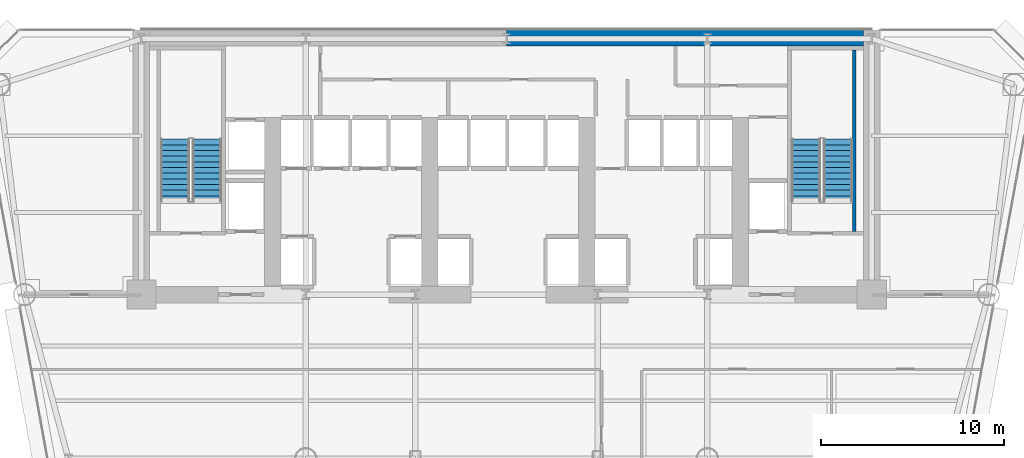
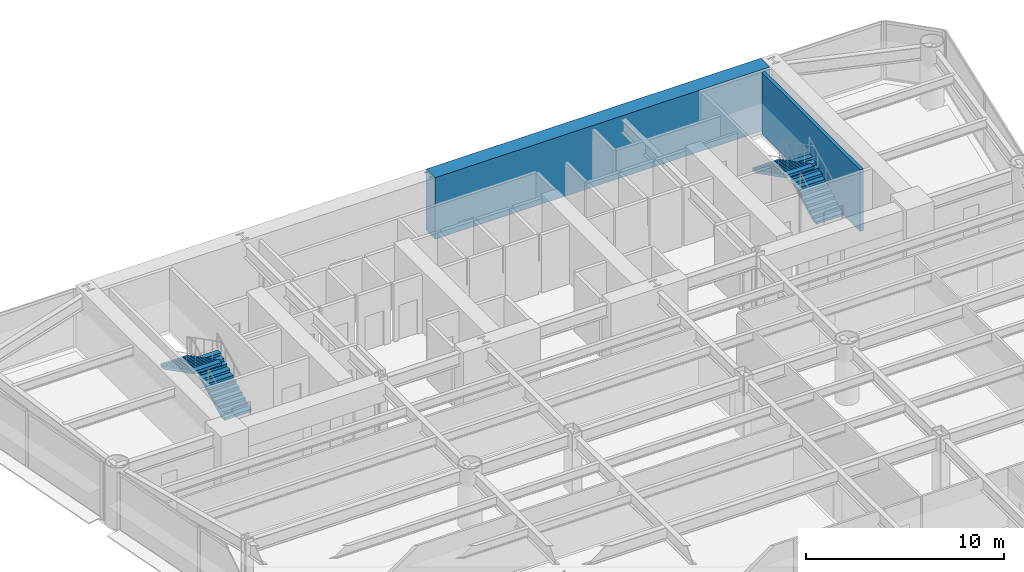
# One storey, part 10 of 14: 4 stair flights, 2 walls, 2 elements without a shape of their own.
"""IFC4 building model written with IfcOpenShell, lengths in metres."""

from ifc_helpers import new_model, si_unit, direction, frame, frame_2d, origin, place, context, subcontext, project, spatial, polyline, rectangle, outline, extrude, material, layer, layer_set, type_object, element, aggregate, save


model = new_model("IFC4")

# Units and contexts
model_context = context("Model", 3, precision=1e-05, world=origin(), true_north=direction((0.0, 1.0)))
body_context = subcontext(model_context, "Body", "Model", "MODEL_VIEW")
ifc_project = project(units=[si_unit("LENGTHUNIT", "METRE"), si_unit("AREAUNIT", "SQUARE_METRE"), si_unit("VOLUMEUNIT", "CUBIC_METRE"), si_unit("PLANEANGLEUNIT", "RADIAN"), si_unit("MASSUNIT", "GRAM", prefix="KILO")], contexts=[model_context])

# Site, building, storey
site_placement = place(None, origin())
site = spatial("IfcSite", under=ifc_project, at=site_placement, CompositionType="ELEMENT")
building_placement = place(site_placement, origin())
building = spatial("IfcBuilding", under=site, at=building_placement, Name="Vaeldorn Concourse Tower", CompositionType="ELEMENT")
storey_placement = place(building_placement, frame((0.0, 0.0, 60.60009765625)))
storey = spatial("IfcBuildingStorey", under=building, at=storey_placement, Name="L15", CompositionType="ELEMENT", Elevation=60.60009765625)

# Walls
ifc_material_1 = material(Name="Concrete C60/75", Category="concrete")
ifc_layer_1 = layer(ifc_material_1, 0.89990234375)
ifc_layer_set_1 = layer_set([ifc_layer_1], Name="Concrete C60/75")
wall_type_1 = type_object("IfcWallType", Name="WL-CORE-900", PredefinedType="SHEAR", material=ifc_layer_set_1)
wall_1_placement = place(storey_placement, frame((34.001953125, 50.550048828125, 0.0), z_axis=(0.0, 0.0, 1.0), x_axis=(1.0, 0.0, 0.0)))
element("IfcWall", 1, at=wall_1_placement, inside=storey, type_object=wall_type_1, Name="Rear Core Shear Wall L15 N2", PredefinedType="SHEAR", context=body_context, shape_type="SweptSolid", body=[
    extrude(rectangle(XDim=19.5439453125, YDim=0.89990234375, at=frame_2d((9.77197265625, 0.0))), origin(), (0.0, 0.0, 1.0), 3.7998046875),
])
ifc_material_2 = material(Name="Concrete C50/60", Category="concrete")
ifc_layer_2 = layer(ifc_material_2, 0.199951171875)
ifc_layer_set_2 = layer_set([ifc_layer_2], Name="Concrete C50/60")
wall_type_2 = type_object("IfcWallType", Name="WL-SHAFT-200", PredefinedType="SOLIDWALL", material=ifc_layer_set_2)
wall_2_placement = place(storey_placement, frame((53.050048828125, 39.9599609375, 0.0), z_axis=(0.0, 0.0, 1.0), x_axis=(0.0, 1.0, 0.0)))
element("IfcWall", 2, at=wall_2_placement, inside=storey, type_object=wall_type_2, Name="Stair Shaft Wall CW-L15-ST-2-E", PredefinedType="SOLIDWALL", context=body_context, shape_type="SweptSolid", body=[
    extrude(rectangle(XDim=9.929931640625, YDim=0.199951171875, at=frame_2d((4.96484375, 0.0))), origin(), (0.0, 0.0, 1.0), 3.7998046875),
])

# Stair, stair flights
ifc_material_3 = material(Name="Precast concrete C40/50", Category="concrete")
stair_type = type_object("IfcStairType", Name="STR-DOG-24x158", PredefinedType="HALF_TURN_STAIR", material=ifc_material_3)
stair_1_placement = place(storey_placement, origin())
stair_1 = element("IfcStair", 3, at=stair_1_placement, inside=storey, type_object=stair_type, Name="L15 West Core Exit Stair ST-1", PredefinedType="HALF_TURN_STAIR")
stair_flight_type = type_object("IfcStairFlightType", Name="STF-STR-12x158", PredefinedType="STRAIGHT", material=ifc_material_3)
stair_flight_1_placement = place(storey_placement, frame((17.60009765625, 41.60009765625, 0.0), z_axis=(0.0, 0.0, 1.0), x_axis=(0.0, 1.0, 0.0)))
stair_flight_1 = element("IfcStairFlight", 4, at=stair_flight_1_placement, type_object=stair_flight_type, Name="ST-1 flight 1", NumberOfRisers=12, NumberOfTreads=11, PredefinedType="STRAIGHT", RiserHeight=0.158333333, TreadLength=0.31, context=body_context, shape_type="SweptSolid", body=[
    extrude(outline(polyline([(0.0, 0.0), (0.0, 0.158447265625), (0.31005859375, 0.158447265625), (0.31005859375, 0.316650390625), (0.6201171875, 0.316650390625), (0.6201171875, 0.47509765625), (0.929931640625, 0.47509765625), (0.929931640625, 0.63330078125), (1.239990234375, 0.63330078125), (1.239990234375, 0.791748046875), (1.550048828125, 0.791748046875), (1.550048828125, 0.949951171875), (1.860107421875, 0.949951171875), (1.860107421875, 1.1083984375), (2.169921875, 1.1083984375), (2.169921875, 1.2666015625), (2.47998046875, 1.2666015625), (2.47998046875, 1.425048828125), (2.7900390625, 1.425048828125), (2.7900390625, 1.583251953125), (3.10009765625, 1.583251953125), (3.10009765625, 1.74169921875), (3.409912109375, 1.74169921875), (3.409912109375, 1.89990234375), (3.409912109375, 1.5732421875), (0.32958984375, 0.0), (0.0, 0.0)])), frame((0.0, 0.800048828125, 0.0), z_axis=(0.0, -1.0, 0.0), x_axis=(1.0, 0.0, 0.0)), (0.0, 0.0, 1.0), 1.60009765625),
])
stair_flight_2_placement = place(storey_placement, frame((15.85009765625, 45.010009765625, 1.89990234375), z_axis=(0.0, 0.0, 1.0), x_axis=(0.0, -1.0, 0.0)))
stair_flight_2 = element("IfcStairFlight", 5, at=stair_flight_2_placement, type_object=stair_flight_type, Name="ST-1 flight 2", NumberOfRisers=12, NumberOfTreads=11, PredefinedType="STRAIGHT", RiserHeight=0.158333333, TreadLength=0.31, context=body_context, shape_type="SweptSolid", body=[
    extrude(outline(polyline([(0.0, 0.0), (0.0, 0.158447265625), (0.31005859375, 0.158447265625), (0.31005859375, 0.316650390625), (0.6201171875, 0.316650390625), (0.6201171875, 0.47509765625), (0.929931640625, 0.47509765625), (0.929931640625, 0.63330078125), (1.239990234375, 0.63330078125), (1.239990234375, 0.791748046875), (1.550048828125, 0.791748046875), (1.550048828125, 0.949951171875), (1.860107421875, 0.949951171875), (1.860107421875, 1.1083984375), (2.169921875, 1.1083984375), (2.169921875, 1.2666015625), (2.47998046875, 1.2666015625), (2.47998046875, 1.425048828125), (2.7900390625, 1.425048828125), (2.7900390625, 1.583251953125), (3.10009765625, 1.583251953125), (3.10009765625, 1.74169921875), (3.409912109375, 1.74169921875), (3.409912109375, 1.89990234375), (3.409912109375, 1.5732421875), (0.32958984375, 0.0), (0.0, 0.0)])), frame((0.0, 0.800048828125, 0.0), z_axis=(0.0, -1.0, 0.0), x_axis=(1.0, 0.0, 0.0)), (0.0, 0.0, 1.0), 1.60009765625),
])
aggregate(stair_1, [stair_flight_1, stair_flight_2])

stair_2_placement = place(storey_placement, origin())
stair_2 = element("IfcStair", 6, at=stair_2_placement, inside=storey, type_object=stair_type, Name="L15 East Core Exit Stair ST-2", PredefinedType="HALF_TURN_STAIR")
stair_flight_3_placement = place(storey_placement, frame((52.14990234375, 41.60009765625, 0.0), z_axis=(0.0, 0.0, 1.0), x_axis=(0.0, 1.0, 0.0)))
stair_flight_3 = element("IfcStairFlight", 7, at=stair_flight_3_placement, type_object=stair_flight_type, Name="ST-2 flight 1", NumberOfRisers=12, NumberOfTreads=11, PredefinedType="STRAIGHT", RiserHeight=0.158333333, TreadLength=0.31, context=body_context, shape_type="SweptSolid", body=[
    extrude(outline(polyline([(0.0, 0.0), (0.0, 0.158447265625), (0.31005859375, 0.158447265625), (0.31005859375, 0.316650390625), (0.6201171875, 0.316650390625), (0.6201171875, 0.47509765625), (0.929931640625, 0.47509765625), (0.929931640625, 0.63330078125), (1.239990234375, 0.63330078125), (1.239990234375, 0.791748046875), (1.550048828125, 0.791748046875), (1.550048828125, 0.949951171875), (1.860107421875, 0.949951171875), (1.860107421875, 1.1083984375), (2.169921875, 1.1083984375), (2.169921875, 1.2666015625), (2.47998046875, 1.2666015625), (2.47998046875, 1.425048828125), (2.7900390625, 1.425048828125), (2.7900390625, 1.583251953125), (3.10009765625, 1.583251953125), (3.10009765625, 1.74169921875), (3.409912109375, 1.74169921875), (3.409912109375, 1.89990234375), (3.409912109375, 1.5732421875), (0.32958984375, 0.0), (0.0, 0.0)])), frame((0.0, 0.800048828125, 0.0), z_axis=(0.0, -1.0, 0.0), x_axis=(1.0, 0.0, 0.0)), (0.0, 0.0, 1.0), 1.60009765625),
])
stair_flight_4_placement = place(storey_placement, frame((50.39990234375, 45.010009765625, 1.89990234375), z_axis=(0.0, 0.0, 1.0), x_axis=(0.0, -1.0, 0.0)))
stair_flight_4 = element("IfcStairFlight", 8, at=stair_flight_4_placement, type_object=stair_flight_type, Name="ST-2 flight 2", NumberOfRisers=12, NumberOfTreads=11, PredefinedType="STRAIGHT", RiserHeight=0.158333333, TreadLength=0.31, context=body_context, shape_type="SweptSolid", body=[
    extrude(outline(polyline([(0.0, 0.0), (0.0, 0.158447265625), (0.31005859375, 0.158447265625), (0.31005859375, 0.316650390625), (0.6201171875, 0.316650390625), (0.6201171875, 0.47509765625), (0.929931640625, 0.47509765625), (0.929931640625, 0.63330078125), (1.239990234375, 0.63330078125), (1.239990234375, 0.791748046875), (1.550048828125, 0.791748046875), (1.550048828125, 0.949951171875), (1.860107421875, 0.949951171875), (1.860107421875, 1.1083984375), (2.169921875, 1.1083984375), (2.169921875, 1.2666015625), (2.47998046875, 1.2666015625), (2.47998046875, 1.425048828125), (2.7900390625, 1.425048828125), (2.7900390625, 1.583251953125), (3.10009765625, 1.583251953125), (3.10009765625, 1.74169921875), (3.409912109375, 1.74169921875), (3.409912109375, 1.89990234375), (3.409912109375, 1.5732421875), (0.32958984375, 0.0), (0.0, 0.0)])), frame((0.0, 0.800048828125, 0.0), z_axis=(0.0, -1.0, 0.0), x_axis=(1.0, 0.0, 0.0)), (0.0, 0.0, 1.0), 1.60009765625),
])
aggregate(stair_2, [stair_flight_3, stair_flight_4])

save(model, "model.ifc")
